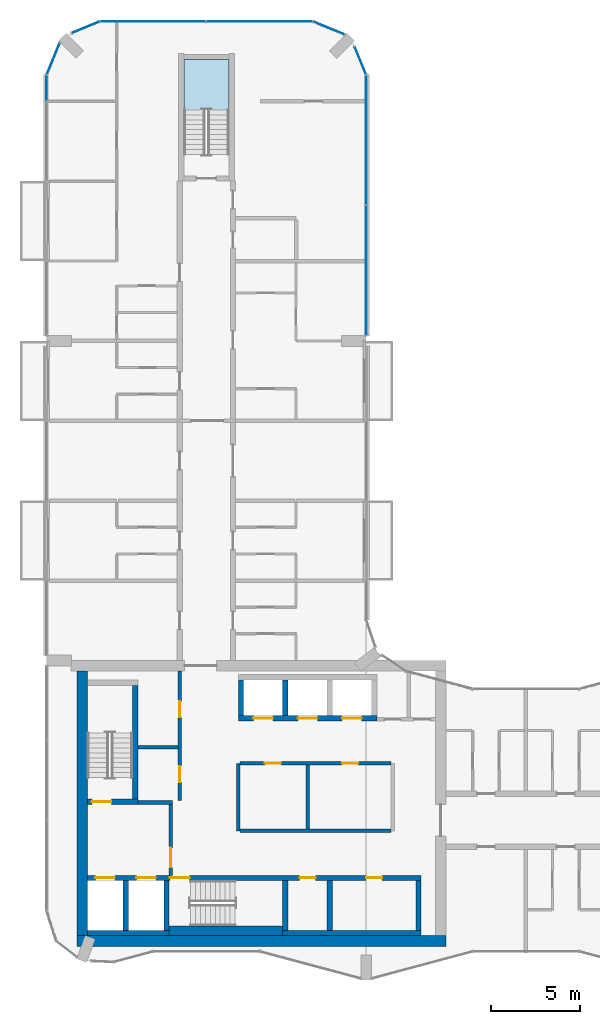
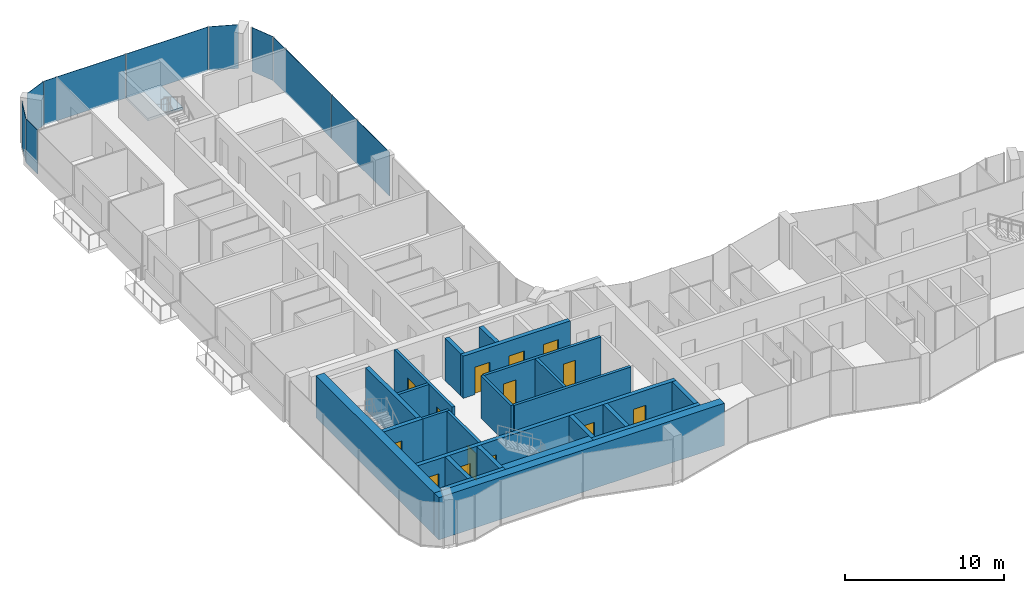
# One storey, part 9 of 16: 24 walls, 14 doors, 9 plates, 1 slab, 14 openings, 8 elements without a shape of their own.
"""IFC4 building model written with IfcOpenShell, lengths in metres."""

from ifc_helpers import new_model, si_unit, direction, frame, frame_2d, origin, origin_2d, place, context, subcontext, project, spatial, polyline, rectangle, outline, extrude, material, layer, layer_set, type_object, element, fill, aggregate, save


model = new_model("IFC4")

# Units and contexts
model_context = context("Model", 3, precision=1e-05, world=origin(), true_north=direction((0.0, 1.0)))
body_context = subcontext(model_context, "Body", "Model", "MODEL_VIEW")
ifc_project = project(units=[si_unit("LENGTHUNIT", "METRE"), si_unit("AREAUNIT", "SQUARE_METRE"), si_unit("VOLUMEUNIT", "CUBIC_METRE"), si_unit("PLANEANGLEUNIT", "RADIAN"), si_unit("MASSUNIT", "GRAM", prefix="KILO")], contexts=[model_context])

# Site, building, storey
site_placement = place(None, origin())
site = spatial("IfcSite", under=ifc_project, at=site_placement, CompositionType="ELEMENT")
building_placement = place(site_placement, origin())
building = spatial("IfcBuilding", under=site, at=building_placement, Name="Plateau Cross Towers", CompositionType="ELEMENT")
storey_placement = place(building_placement, frame((0.0, 0.0, 167.39990234375)))
storey = spatial("IfcBuildingStorey", under=building, at=storey_placement, Name="L43", CompositionType="ELEMENT", Elevation=167.39990234375)

# Curtain wall, plates
ifc_material_1 = material(Name="Dark low-iron glass", Category="glass")
ifc_layer_1 = layer(ifc_material_1, 0.239990234375)
ifc_layer_set_1 = layer_set([ifc_layer_1], Name="Dark low-iron glass")
curtain_wall_type = type_object("IfcCurtainWallType", Name="Curtain wall flush unitised CW-B", PredefinedType="NOTDEFINED", material=ifc_layer_set_1)
curtain_wall_1_placement = place(storey_placement, origin())
curtain_wall_1 = element("IfcCurtainWall", 1, at=curtain_wall_1_placement, inside=storey, type_object=curtain_wall_type, Name="ENV/A/L43/A180_363", PredefinedType="NOTDEFINED")
ifc_layer_2 = layer(ifc_material_1, 0.031982421875)
ifc_layer_set_2 = layer_set([ifc_layer_2], Name="Dark low-iron glass")
plate_type = type_object("IfcPlateType", Name="Glass panel 32 flush unitised", PredefinedType="CURTAIN_PANEL", material=ifc_layer_set_2)
plate_1_placement = place(storey_placement, frame((18.0, 39.97509765625, -0.1298828125), z_axis=(0.0, 0.0, 1.0), x_axis=(0.0, 1.0, 0.0)))
plate_1 = element("IfcPlate", 2, at=plate_1_placement, type_object=plate_type, Name="CW-B panel 1", PredefinedType="CURTAIN_PANEL", context=body_context, shape_type="SweptSolid", body=[
    extrude(rectangle(XDim=7.2900390625, YDim=0.031982421875, at=origin_2d()), origin(), (0.0, 0.0, 1.0), 3.3798828125),
])
plate_2_placement = place(storey_placement, frame((18.0, 47.324951171875, -0.1298828125), z_axis=(0.0, 0.0, 1.0), x_axis=(0.0, 1.0, 0.0)))
plate_2 = element("IfcPlate", 3, at=plate_2_placement, type_object=plate_type, Name="CW-B panel 2", PredefinedType="CURTAIN_PANEL", context=body_context, shape_type="SweptSolid", body=[
    extrude(rectangle(XDim=7.2900390625, YDim=0.031982421875, at=origin_2d()), origin(), (0.0, 0.0, 1.0), 3.3798828125),
])
aggregate(curtain_wall_1, [plate_1, plate_2])

# Curtain wall, plate
curtain_wall_2_placement = place(storey_placement, origin())
curtain_wall_2 = element("IfcCurtainWall", 4, at=curtain_wall_2_placement, inside=storey, type_object=curtain_wall_type, Name="ENV/A/L43/A180_510", PredefinedType="NOTDEFINED")
plate_3_placement = place(storey_placement, frame((17.66943359375, 51.79833984375, -0.1298828125), z_axis=(0.0, 0.0, 1.0), x_axis=(-0.382683612978, 0.923879457699, 0.0)))
plate_3 = element("IfcPlate", 5, at=plate_3_placement, type_object=plate_type, Name="CW-B panel 1", PredefinedType="CURTAIN_PANEL", context=body_context, shape_type="SweptSolid", body=[
    extrude(rectangle(XDim=1.668212890625, YDim=0.031982421875, at=origin_2d()), origin(), (0.0, 0.0, 1.0), 3.3798828125),
])
aggregate(curtain_wall_2, [plate_3])

curtain_wall_3_placement = place(storey_placement, origin())
curtain_wall_3 = element("IfcCurtainWall", 6, at=curtain_wall_3_placement, inside=storey, type_object=curtain_wall_type, Name="ENV/A/L43/A168_533", PredefinedType="NOTDEFINED")
plate_4_placement = place(storey_placement, frame((15.90283203125, 53.6259765625, -0.1298828125), z_axis=(0.0, 0.0, 1.0), x_axis=(-0.923879457699, 0.382683612978, 0.0)))
plate_4 = element("IfcPlate", 7, at=plate_4_placement, type_object=plate_type, Name="CW-B panel 1", PredefinedType="CURTAIN_PANEL", context=body_context, shape_type="SweptSolid", body=[
    extrude(rectangle(XDim=1.894775390625, YDim=0.031982421875, at=origin_2d()), origin(), (0.0, 0.0, 1.0), 3.3798828125),
])
aggregate(curtain_wall_3, [plate_4])

# Curtain wall, plates
curtain_wall_4_placement = place(storey_placement, origin())
curtain_wall_4 = element("IfcCurtainWall", 8, at=curtain_wall_4_placement, inside=storey, type_object=curtain_wall_type, Name="ENV/A/L43/A150_540", PredefinedType="NOTDEFINED")
plate_5_placement = place(storey_placement, frame((12.0, 54.0, -0.1298828125), z_axis=(0.0, 0.0, 1.0), x_axis=(-1.0, 0.0, 0.0)))
plate_5 = element("IfcPlate", 9, at=plate_5_placement, type_object=plate_type, Name="CW-B panel 1", PredefinedType="CURTAIN_PANEL", context=body_context, shape_type="SweptSolid", body=[
    extrude(rectangle(XDim=5.93994140625, YDim=0.031982421875, at=origin_2d()), origin(), (0.0, 0.0, 1.0), 3.3798828125),
])
plate_6_placement = place(storey_placement, frame((6.0, 54.0, -0.1298828125), z_axis=(0.0, 0.0, 1.0), x_axis=(-1.0, 0.0, 0.0)))
plate_6 = element("IfcPlate", 10, at=plate_6_placement, type_object=plate_type, Name="CW-B panel 2", PredefinedType="CURTAIN_PANEL", context=body_context, shape_type="SweptSolid", body=[
    extrude(rectangle(XDim=5.93994140625, YDim=0.031982421875, at=origin_2d()), origin(), (0.0, 0.0, 1.0), 3.3798828125),
])
aggregate(curtain_wall_4, [plate_5, plate_6])

# Curtain wall, plate
curtain_wall_5_placement = place(storey_placement, origin())
curtain_wall_5 = element("IfcCurtainWall", 11, at=curtain_wall_5_placement, inside=storey, type_object=curtain_wall_type, Name="ENV/A/L43/A30_540", PredefinedType="NOTDEFINED")
plate_7_placement = place(storey_placement, frame((2.20166015625, 53.66943359375, -0.1298828125), z_axis=(0.0, 0.0, 1.0), x_axis=(-0.923879457699, -0.382683612978, 0.0)))
plate_7 = element("IfcPlate", 12, at=plate_7_placement, type_object=plate_type, Name="CW-B panel 1", PredefinedType="CURTAIN_PANEL", context=body_context, shape_type="SweptSolid", body=[
    extrude(rectangle(XDim=1.668212890625, YDim=0.031982421875, at=origin_2d()), origin(), (0.0, 0.0, 1.0), 3.3798828125),
])
aggregate(curtain_wall_5, [plate_7])

curtain_wall_6_placement = place(storey_placement, origin())
curtain_wall_6 = element("IfcCurtainWall", 13, at=curtain_wall_6_placement, inside=storey, type_object=curtain_wall_type, Name="ENV/A/L43/A7_528", PredefinedType="NOTDEFINED")
plate_8_placement = place(storey_placement, frame((0.3740234375, 51.90283203125, -0.1298828125), z_axis=(0.0, 0.0, 1.0), x_axis=(-0.382683612978, -0.923879457699, 0.0)))
plate_8 = element("IfcPlate", 14, at=plate_8_placement, type_object=plate_type, Name="CW-B panel 1", PredefinedType="CURTAIN_PANEL", context=body_context, shape_type="SweptSolid", body=[
    extrude(rectangle(XDim=1.894775390625, YDim=0.031982421875, at=origin_2d()), origin(), (0.0, 0.0, 1.0), 3.3798828125),
])
aggregate(curtain_wall_6, [plate_8])

curtain_wall_7_placement = place(storey_placement, origin())
curtain_wall_7 = element("IfcCurtainWall", 15, at=curtain_wall_7_placement, inside=storey, type_object=curtain_wall_type, Name="ENV/A/L43/A0_510", PredefinedType="NOTDEFINED")
plate_9_placement = place(storey_placement, frame((0.0, 50.25, -0.1298828125), z_axis=(0.0, 0.0, 1.0), x_axis=(0.0, -1.0, 0.0)))
plate_9 = element("IfcPlate", 16, at=plate_9_placement, type_object=plate_type, Name="CW-B panel 1", PredefinedType="CURTAIN_PANEL", context=body_context, shape_type="SweptSolid", body=[
    extrude(rectangle(XDim=1.43994140625, YDim=0.031982421875, at=origin_2d()), origin(), (0.0, 0.0, 1.0), 3.3798828125),
])
aggregate(curtain_wall_7, [plate_9])

# Stair, slab
ifc_material_2 = material(Name="Concrete C40/50", Category="concrete")
stair_type = type_object("IfcStairType", Name="ST-TWR", PredefinedType="HALF_TURN_STAIR", material=ifc_material_2)
stair_placement = place(storey_placement, origin())
stair = element("IfcStair", 17, at=stair_placement, inside=storey, type_object=stair_type, Name="L43 Protected Exit Stair N", PredefinedType="HALF_TURN_STAIR")
ifc_layer_3 = layer(ifc_material_2, 0.199951171875)
ifc_layer_set_3 = layer_set([ifc_layer_3], Name="Concrete C40/50")
slab_type = type_object("IfcSlabType", Name="SL-LANDING", PredefinedType="LANDING", material=ifc_layer_set_3)
slab_placement = place(storey_placement, frame((0.0, 0.0, 1.550048828125)))
slab = element("IfcSlab", 18, at=slab_placement, type_object=slab_type, Name="ES-N landing 1", PredefinedType="LANDING", context=body_context, shape_type="SweptSolid", body=[
    extrude(outline(polyline([(10.27490234375, 49.02001953125), (10.27490234375, 51.85009765625), (7.72509765625, 51.85009765625), (7.72509765625, 49.02001953125), (10.27490234375, 49.02001953125)])), origin(), (0.0, 0.0, 1.0), 0.199951171875),
])
aggregate(stair, [slab])

# Wall, opening, door
ifc_material_3 = material(Name="Concrete block, plastered both sides", Category="concrete")
ifc_layer_4 = layer(ifc_material_3, 0.199951171875)
ifc_layer_set_4 = layer_set([ifc_layer_4], Name="Concrete block, plastered both sides")
wall_type_1 = type_object("IfcWallType", Name="Core partition 200", PredefinedType="PARTITIONING", material=ifc_layer_set_4)
wall_1_placement = place(storey_placement, frame((7.0, 5.89990234375, 0.0), z_axis=(0.0, 0.0, 1.0), x_axis=(0.0, 1.0, 0.0)))
wall_1 = element("IfcWall", 19, at=wall_1_placement, inside=storey, type_object=wall_type_1, Name="Core partition", PredefinedType="PARTITIONING", context=body_context, shape_type="SweptSolid", body=[
    extrude(rectangle(XDim=4.0, YDim=0.199951171875, at=frame_2d((2.0, 0.0))), origin(), (0.0, 0.0, 1.0), 3.25),
])
opening_1_placement = place(wall_1_placement, frame((0.449951171875, 0.0, 0.0)))
opening_1 = element("IfcOpeningElement", 20, at=opening_1_placement, cuts=wall_1, Name="Opening FFD", PredefinedType="OPENING", context=body_context, shape_type="SweptSolid", body=[
    extrude(rectangle(XDim=1.10009765625, YDim=2.10009765625, at=frame_2d((0.550048828125, 1.050048828125))), frame((0.0, 0.10986328125, 0.0), z_axis=(0.0, -1.0, 0.0), x_axis=(1.0, 0.0, 0.0)), (0.0, 0.0, 1.0), 0.219970703125),
])
ifc_material_4 = material(Name="Steel, fire-resisting leaf", Category="steel")
door_type_1 = type_object("IfcDoorType", Name="Firefighting lobby door 1100", OperationType="NOTDEFINED", PredefinedType="DOOR", material=ifc_material_4)
door_1_placement = place(opening_1_placement, origin())
door_1 = element("IfcDoor", 21, at=door_1_placement, inside=storey, type_object=door_type_1, Name="Firefighting lobby door FFD", OperationType="SINGLE_SWING_LEFT", OverallHeight=2.10009765625, OverallWidth=1.10009765625, PredefinedType="DOOR", context=body_context, shape_type="SweptSolid", body=[
    extrude(rectangle(XDim=1.10009765625, YDim=2.10009765625, at=frame_2d((0.550048828125, 1.050048828125))), frame((0.0, 0.02490234375, 0.0), z_axis=(0.0, -1.0, 0.0), x_axis=(1.0, 0.0, 0.0)), (0.0, 0.0, 1.0), 0.050048828125),
])
fill(opening_1, door_1)

# Walls
wall_2_placement = place(storey_placement, frame((5.14990234375, 10.0, 0.0), z_axis=(0.0, 0.0, 1.0), x_axis=(1.0, 0.0, 0.0)))
element("IfcWall", 22, at=wall_2_placement, inside=storey, type_object=wall_type_1, Name="Core partition", PredefinedType="PARTITIONING", context=body_context, shape_type="SweptSolid", body=[
    extrude(rectangle(XDim=1.9501953125, YDim=0.199951171875, at=frame_2d((0.97509765625, 0.0))), origin(), (0.0, 0.0, 1.0), 3.25),
])
wall_3_placement = place(storey_placement, frame((10.800048828125, 8.39990234375, 0.0), z_axis=(0.0, 0.0, 1.0), x_axis=(0.0, 1.0, 0.0)))
element("IfcWall", 23, at=wall_3_placement, inside=storey, type_object=wall_type_1, Name="Core partition", PredefinedType="PARTITIONING", context=body_context, shape_type="SweptSolid", body=[
    extrude(rectangle(XDim=3.800048828125, YDim=0.199951171875, at=frame_2d((1.89990234375, 0.0))), origin(), (0.0, 0.0, 1.0), 3.25),
])
wall_4_placement = place(storey_placement, frame((10.89990234375, 8.39990234375, 0.0), z_axis=(0.0, 0.0, 1.0), x_axis=(1.0, 0.0, 0.0)))
element("IfcWall", 24, at=wall_4_placement, inside=storey, type_object=wall_type_1, Name="Core partition", PredefinedType="PARTITIONING", context=body_context, shape_type="SweptSolid", body=[
    extrude(rectangle(XDim=8.5, YDim=0.199951171875, at=frame_2d((4.25, 0.0))), origin(), (0.0, 0.0, 1.0), 3.25),
])

# Wall, openings, doors
wall_5_placement = place(storey_placement, frame((10.89990234375, 12.199951171875, 0.0), z_axis=(0.0, 0.0, 1.0), x_axis=(1.0, 0.0, 0.0)))
wall_5 = element("IfcWall", 25, at=wall_5_placement, inside=storey, type_object=wall_type_1, Name="Core partition", PredefinedType="PARTITIONING", context=body_context, shape_type="SweptSolid", body=[
    extrude(rectangle(XDim=8.5, YDim=0.199951171875, at=frame_2d((4.25, 0.0))), origin(), (0.0, 0.0, 1.0), 3.25),
])
opening_2_placement = place(wall_5_placement, frame((1.39990234375, 0.0, 0.0)))
opening_2 = element("IfcOpeningElement", 26, at=opening_2_placement, cuts=wall_5, Name="Opening RD1", PredefinedType="OPENING", context=body_context, shape_type="SweptSolid", body=[
    extrude(rectangle(XDim=0.89990234375, YDim=2.10009765625, at=frame_2d((0.449951171875, 1.050048828125))), frame((0.0, 0.10986328125, 0.0), z_axis=(0.0, -1.0, 0.0), x_axis=(1.0, 0.0, 0.0)), (0.0, 0.0, 1.0), 0.219970703125),
])
opening_3_placement = place(wall_5_placement, frame((5.75, 0.0, 0.0)))
opening_3 = element("IfcOpeningElement", 27, at=opening_3_placement, cuts=wall_5, Name="Opening RD1", PredefinedType="OPENING", context=body_context, shape_type="SweptSolid", body=[
    extrude(rectangle(XDim=0.89990234375, YDim=2.10009765625, at=frame_2d((0.449951171875, 1.050048828125))), frame((0.0, 0.10986328125, 0.0), z_axis=(0.0, -1.0, 0.0), x_axis=(1.0, 0.0, 0.0)), (0.0, 0.0, 1.0), 0.219970703125),
])
ifc_material_5 = material(Name="Timber, fire-resisting leaf", Category="wood")
door_type_2 = type_object("IfcDoorType", Name="Core service door 900", OperationType="NOTDEFINED", PredefinedType="DOOR", material=ifc_material_5)
door_2_placement = place(opening_2_placement, origin())
door_2 = element("IfcDoor", 28, at=door_2_placement, inside=storey, type_object=door_type_2, Name="Core service door RD1", OperationType="SINGLE_SWING_LEFT", OverallHeight=2.10009765625, OverallWidth=0.89990234375, PredefinedType="DOOR", context=body_context, shape_type="SweptSolid", body=[
    extrude(rectangle(XDim=0.89990234375, YDim=2.10009765625, at=frame_2d((0.449951171875, 1.050048828125))), frame((0.0, 0.02490234375, 0.0), z_axis=(0.0, -1.0, 0.0), x_axis=(1.0, 0.0, 0.0)), (0.0, 0.0, 1.0), 0.050048828125),
])
fill(opening_2, door_2)
door_3_placement = place(opening_3_placement, origin())
door_3 = element("IfcDoor", 29, at=door_3_placement, inside=storey, type_object=door_type_2, Name="Core service door RD1", OperationType="SINGLE_SWING_LEFT", OverallHeight=2.10009765625, OverallWidth=0.89990234375, PredefinedType="DOOR", context=body_context, shape_type="SweptSolid", body=[
    extrude(rectangle(XDim=0.89990234375, YDim=2.10009765625, at=frame_2d((0.449951171875, 1.050048828125))), frame((0.0, 0.02490234375, 0.0), z_axis=(0.0, -1.0, 0.0), x_axis=(1.0, 0.0, 0.0)), (0.0, 0.0, 1.0), 0.050048828125),
])
fill(opening_3, door_3)

# Wall
wall_6_placement = place(storey_placement, frame((14.699951171875, 8.5, 0.0), z_axis=(0.0, 0.0, 1.0), x_axis=(0.0, 1.0, 0.0)))
element("IfcWall", 30, at=wall_6_placement, inside=storey, type_object=wall_type_1, Name="Core partition", PredefinedType="PARTITIONING", context=body_context, shape_type="SweptSolid", body=[
    extrude(rectangle(XDim=3.60009765625, YDim=0.199951171875, at=frame_2d((1.800048828125, 0.0))), origin(), (0.0, 0.0, 1.0), 3.25),
])

# Wall, openings, doors
wall_7_placement = place(storey_placement, frame((7.5, 10.10009765625, 0.0), z_axis=(0.0, 0.0, 1.0), x_axis=(0.0, 1.0, 0.0)))
wall_7 = element("IfcWall", 31, at=wall_7_placement, inside=storey, type_object=wall_type_1, Name="Core partition", PredefinedType="PARTITIONING", context=body_context, shape_type="SweptSolid", body=[
    extrude(rectangle(XDim=7.2998046875, YDim=0.199951171875, at=frame_2d((3.64990234375, 0.0))), origin(), (0.0, 0.0, 1.0), 3.25),
])
opening_4_placement = place(wall_7_placement, frame((1.050048828125, 0.0, 0.0)))
opening_4 = element("IfcOpeningElement", 32, at=opening_4_placement, cuts=wall_7, Name="Opening RD1", PredefinedType="OPENING", context=body_context, shape_type="SweptSolid", body=[
    extrude(rectangle(XDim=0.89990234375, YDim=2.10009765625, at=frame_2d((0.449951171875, 1.050048828125))), frame((0.0, 0.10986328125, 0.0), z_axis=(0.0, -1.0, 0.0), x_axis=(1.0, 0.0, 0.0)), (0.0, 0.0, 1.0), 0.219970703125),
])
opening_5_placement = place(wall_7_placement, frame((4.699951171875, 0.0, 0.0)))
opening_5 = element("IfcOpeningElement", 33, at=opening_5_placement, cuts=wall_7, Name="Opening RD1", PredefinedType="OPENING", context=body_context, shape_type="SweptSolid", body=[
    extrude(rectangle(XDim=0.89990234375, YDim=2.10009765625, at=frame_2d((0.449951171875, 1.050048828125))), frame((0.0, 0.10986328125, 0.0), z_axis=(0.0, -1.0, 0.0), x_axis=(1.0, 0.0, 0.0)), (0.0, 0.0, 1.0), 0.219970703125),
])
door_4_placement = place(opening_4_placement, origin())
door_4 = element("IfcDoor", 34, at=door_4_placement, inside=storey, type_object=door_type_2, Name="Core service door RD1", OperationType="SINGLE_SWING_RIGHT", OverallHeight=2.10009765625, OverallWidth=0.89990234375, PredefinedType="DOOR", context=body_context, shape_type="SweptSolid", body=[
    extrude(rectangle(XDim=0.89990234375, YDim=2.10009765625, at=frame_2d((0.449951171875, 1.050048828125))), frame((0.0, 0.02490234375, 0.0), z_axis=(0.0, -1.0, 0.0), x_axis=(1.0, 0.0, 0.0)), (0.0, 0.0, 1.0), 0.050048828125),
])
fill(opening_4, door_4)
door_5_placement = place(opening_5_placement, origin())
door_5 = element("IfcDoor", 35, at=door_5_placement, inside=storey, type_object=door_type_2, Name="Core service door RD1", OperationType="SINGLE_SWING_RIGHT", OverallHeight=2.10009765625, OverallWidth=0.89990234375, PredefinedType="DOOR", context=body_context, shape_type="SweptSolid", body=[
    extrude(rectangle(XDim=0.89990234375, YDim=2.10009765625, at=frame_2d((0.449951171875, 1.050048828125))), frame((0.0, 0.02490234375, 0.0), z_axis=(0.0, -1.0, 0.0), x_axis=(1.0, 0.0, 0.0)), (0.0, 0.0, 1.0), 0.050048828125),
])
fill(opening_5, door_5)

# Walls
wall_8_placement = place(storey_placement, frame((5.14990234375, 13.10009765625, 0.0), z_axis=(0.0, 0.0, 1.0), x_axis=(1.0, 0.0, 0.0)))
element("IfcWall", 36, at=wall_8_placement, inside=storey, type_object=wall_type_1, Name="Core partition", PredefinedType="PARTITIONING", context=body_context, shape_type="SweptSolid", body=[
    extrude(rectangle(XDim=2.25, YDim=0.199951171875, at=frame_2d((1.125, 0.0))), origin(), (0.0, 0.0, 1.0), 3.25),
])
ifc_material_6 = material(Name="Concrete C60/75", Category="concrete")
ifc_layer_5 = layer(ifc_material_6, 0.300048828125)
ifc_layer_set_5 = layer_set([ifc_layer_5], Name="Concrete C60/75")
wall_type_2 = type_object("IfcWallType", Name="Core shaft wall 300", PredefinedType="SHEAR", material=ifc_layer_set_5)
wall_9_placement = place(storey_placement, frame((2.300048828125, 2.64990234375, 0.0), z_axis=(0.0, 0.0, 1.0), x_axis=(1.0, 0.0, 0.0)))
element("IfcWall", 37, at=wall_9_placement, inside=storey, type_object=wall_type_2, Name="A-sb-back1@L43", PredefinedType="SHEAR", context=body_context, shape_type="SweptSolid", body=[
    extrude(rectangle(XDim=4.599853515625, YDim=0.300048828125, at=frame_2d((2.2998046875, 0.0))), origin(), (0.0, 0.0, 1.0), 3.25),
])
wall_10_placement = place(storey_placement, frame((13.300048828125, 2.64990234375, 0.0), z_axis=(0.0, 0.0, 1.0), x_axis=(1.0, 0.0, 0.0)))
element("IfcWall", 38, at=wall_10_placement, inside=storey, type_object=wall_type_2, Name="A-sb-back3@L43", PredefinedType="SHEAR", context=body_context, shape_type="SweptSolid", body=[
    extrude(rectangle(XDim=7.800048828125, YDim=0.300048828125, at=frame_2d((3.89990234375, 0.0))), origin(), (0.0, 0.0, 1.0), 3.25),
])
for number, where, z_axis, x_axis, name in (
    (39, (4.449951171875, 2.800048828125, 0.0), (0.0, 0.0, 1.0), (0.0, 1.0, 0.0), "A-sb-v1@L43"),
    (40, (6.75, 2.800048828125, 0.0), (0.0, 0.0, 1.0), (0.0, 1.0, 0.0), "A-sb-v2@L43"),
    (41, (13.449951171875, 2.800048828125, 0.0), (0.0, 0.0, 1.0), (0.0, 1.0, 0.0), "A-sb-v3@L43"),
    (42, (15.949951171875, 2.800048828125, 0.0), (0.0, 0.0, 1.0), (0.0, 1.0, 0.0), "A-sb-v4@L43"),
    (43, (20.949951171875, 2.800048828125, 0.0), (0.0, 0.0, 1.0), (0.0, 1.0, 0.0), "A-sb-v6@L43"),
):
    element("IfcWall", number, at=place(storey_placement, frame(where, z_axis=z_axis, x_axis=x_axis)), inside=storey, type_object=wall_type_2, Name=name, PredefinedType="SHEAR", context=body_context, shape_type="SweptSolid", body=[
        extrude(rectangle(XDim=2.800048828125, YDim=0.300048828125, at=frame_2d((1.39990234375, 0.0))), origin(), (0.0, 0.0, 1.0), 3.25),
    ])

# Wall, openings, doors
wall_11_placement = place(storey_placement, frame((2.300048828125, 5.75, 0.0), z_axis=(0.0, 0.0, 1.0), x_axis=(1.0, 0.0, 0.0)))
wall_11 = element("IfcWall", 44, at=wall_11_placement, inside=storey, type_object=wall_type_2, Name="A-sb-front@L43", PredefinedType="SHEAR", context=body_context, shape_type="SweptSolid", body=[
    extrude(rectangle(XDim=18.800048828125, YDim=0.300048828125, at=frame_2d((9.39990234375, 0.0))), origin(), (0.0, 0.0, 1.0), 3.25),
])
opening_6_placement = place(wall_11_placement, frame((4.64990234375, 0.0, 0.0)))
opening_6 = element("IfcOpeningElement", 45, at=opening_6_placement, cuts=wall_11, Name="Opening SD", PredefinedType="OPENING", context=body_context, shape_type="SweptSolid", body=[
    extrude(rectangle(XDim=1.10009765625, YDim=2.10009765625, at=frame_2d((0.550048828125, 1.050048828125))), frame((0.0, 0.159912109375, 0.0), z_axis=(0.0, -1.0, 0.0), x_axis=(1.0, 0.0, 0.0)), (0.0, 0.0, 1.0), 0.320068359375),
])
opening_7_placement = place(wall_11_placement, frame((0.449951171875, 0.0, 0.0)))
opening_7 = element("IfcOpeningElement", 46, at=opening_7_placement, cuts=wall_11, Name="Opening LD", PredefinedType="OPENING", context=body_context, shape_type="SweptSolid", body=[
    extrude(rectangle(XDim=1.10009765625, YDim=2.10009765625, at=frame_2d((0.550048828125, 1.050048828125))), frame((0.0, 0.159912109375, 0.0), z_axis=(0.0, -1.0, 0.0), x_axis=(1.0, 0.0, 0.0)), (0.0, 0.0, 1.0), 0.320068359375),
])
opening_8_placement = place(wall_11_placement, frame((2.75, 0.0, 0.0)))
opening_8 = element("IfcOpeningElement", 47, at=opening_8_placement, cuts=wall_11, Name="Opening LD", PredefinedType="OPENING", context=body_context, shape_type="SweptSolid", body=[
    extrude(rectangle(XDim=1.10009765625, YDim=2.10009765625, at=frame_2d((0.550048828125, 1.050048828125))), frame((0.0, 0.159912109375, 0.0), z_axis=(0.0, -1.0, 0.0), x_axis=(1.0, 0.0, 0.0)), (0.0, 0.0, 1.0), 0.320068359375),
])
opening_9_placement = place(wall_11_placement, frame((11.949951171875, 0.0, 0.0)))
opening_9 = element("IfcOpeningElement", 48, at=opening_9_placement, cuts=wall_11, Name="Opening RD2", PredefinedType="OPENING", context=body_context, shape_type="SweptSolid", body=[
    extrude(rectangle(XDim=0.89990234375, YDim=2.10009765625, at=frame_2d((0.449951171875, 1.050048828125))), frame((0.0, 0.159912109375, 0.0), z_axis=(0.0, -1.0, 0.0), x_axis=(1.0, 0.0, 0.0)), (0.0, 0.0, 1.0), 0.320068359375),
])
opening_10_placement = place(wall_11_placement, frame((15.699951171875, 0.0, 0.0)))
opening_10 = element("IfcOpeningElement", 49, at=opening_10_placement, cuts=wall_11, Name="Opening RD2", PredefinedType="OPENING", context=body_context, shape_type="SweptSolid", body=[
    extrude(rectangle(XDim=0.89990234375, YDim=2.10009765625, at=frame_2d((0.449951171875, 1.050048828125))), frame((0.0, 0.159912109375, 0.0), z_axis=(0.0, -1.0, 0.0), x_axis=(1.0, 0.0, 0.0)), (0.0, 0.0, 1.0), 0.320068359375),
])
door_type_3 = type_object("IfcDoorType", Name="Core riser door 900", OperationType="NOTDEFINED", PredefinedType="DOOR", material=ifc_material_4)
door_6_placement = place(opening_9_placement, origin())
door_6 = element("IfcDoor", 50, at=door_6_placement, inside=storey, type_object=door_type_3, Name="Core riser door RD2", OperationType="SINGLE_SWING_LEFT", OverallHeight=2.10009765625, OverallWidth=0.89990234375, PredefinedType="DOOR", context=body_context, shape_type="SweptSolid", body=[
    extrude(rectangle(XDim=0.89990234375, YDim=2.10009765625, at=frame_2d((0.449951171875, 1.050048828125))), frame((0.0, 0.02490234375, 0.0), z_axis=(0.0, -1.0, 0.0), x_axis=(1.0, 0.0, 0.0)), (0.0, 0.0, 1.0), 0.050048828125),
])
fill(opening_9, door_6)
door_7_placement = place(opening_10_placement, origin())
door_7 = element("IfcDoor", 51, at=door_7_placement, inside=storey, type_object=door_type_3, Name="Core riser door RD2", OperationType="SINGLE_SWING_LEFT", OverallHeight=2.10009765625, OverallWidth=0.89990234375, PredefinedType="DOOR", context=body_context, shape_type="SweptSolid", body=[
    extrude(rectangle(XDim=0.89990234375, YDim=2.10009765625, at=frame_2d((0.449951171875, 1.050048828125))), frame((0.0, 0.02490234375, 0.0), z_axis=(0.0, -1.0, 0.0), x_axis=(1.0, 0.0, 0.0)), (0.0, 0.0, 1.0), 0.050048828125),
])
fill(opening_10, door_7)
ifc_material_7 = material(Name="Stainless steel, fire-resisting sliding leaves", Category="steel")
door_type_4 = type_object("IfcDoorType", Name="Lift landing door 1100", OperationType="NOTDEFINED", PredefinedType="DOOR", material=ifc_material_7)
door_8_placement = place(opening_7_placement, origin())
door_8 = element("IfcDoor", 52, at=door_8_placement, inside=storey, type_object=door_type_4, Name="Lift landing door LD", OperationType="DOUBLE_DOOR_SLIDING", OverallHeight=2.10009765625, OverallWidth=1.10009765625, PredefinedType="DOOR", context=body_context, shape_type="SweptSolid", body=[
    extrude(rectangle(XDim=1.10009765625, YDim=2.10009765625, at=frame_2d((0.550048828125, 1.050048828125))), frame((0.0, 0.02490234375, 0.0), z_axis=(0.0, -1.0, 0.0), x_axis=(1.0, 0.0, 0.0)), (0.0, 0.0, 1.0), 0.050048828125),
])
fill(opening_7, door_8)
door_9_placement = place(opening_8_placement, origin())
door_9 = element("IfcDoor", 53, at=door_9_placement, inside=storey, type_object=door_type_4, Name="Lift landing door LD", OperationType="DOUBLE_DOOR_SLIDING", OverallHeight=2.10009765625, OverallWidth=1.10009765625, PredefinedType="DOOR", context=body_context, shape_type="SweptSolid", body=[
    extrude(rectangle(XDim=1.10009765625, YDim=2.10009765625, at=frame_2d((0.550048828125, 1.050048828125))), frame((0.0, 0.02490234375, 0.0), z_axis=(0.0, -1.0, 0.0), x_axis=(1.0, 0.0, 0.0)), (0.0, 0.0, 1.0), 0.050048828125),
])
fill(opening_8, door_9)
door_type_5 = type_object("IfcDoorType", Name="Stair door 1100", OperationType="NOTDEFINED", PredefinedType="DOOR", material=ifc_material_4)
door_10_placement = place(opening_6_placement, origin())
door_10 = element("IfcDoor", 54, at=door_10_placement, inside=storey, type_object=door_type_5, Name="Stair door SD", OperationType="SINGLE_SWING_LEFT", OverallHeight=2.10009765625, OverallWidth=1.10009765625, PredefinedType="DOOR", context=body_context, shape_type="SweptSolid", body=[
    extrude(rectangle(XDim=1.10009765625, YDim=2.10009765625, at=frame_2d((0.550048828125, 1.050048828125))), frame((0.0, 0.02490234375, 0.0), z_axis=(0.0, -1.0, 0.0), x_axis=(1.0, 0.0, 0.0)), (0.0, 0.0, 1.0), 0.050048828125),
])
fill(opening_6, door_10)

# Wall, opening, door
wall_12_placement = place(storey_placement, frame((2.300048828125, 10.050048828125, 0.0), z_axis=(0.0, 0.0, 1.0), x_axis=(1.0, 0.0, 0.0)))
wall_12 = element("IfcWall", 55, at=wall_12_placement, inside=storey, type_object=wall_type_2, Name="A-st1-S@L43", PredefinedType="SHEAR", context=body_context, shape_type="SweptSolid", body=[
    extrude(rectangle(XDim=2.849853515625, YDim=0.300048828125, at=frame_2d((1.4248046875, 0.0))), origin(), (0.0, 0.0, 1.0), 3.25),
])
opening_11_placement = place(wall_12_placement, frame((0.25, 0.0, 0.0)))
opening_11 = element("IfcOpeningElement", 56, at=opening_11_placement, cuts=wall_12, Name="Opening SD", PredefinedType="OPENING", context=body_context, shape_type="SweptSolid", body=[
    extrude(rectangle(XDim=1.10009765625, YDim=2.10009765625, at=frame_2d((0.550048828125, 1.050048828125))), frame((0.0, 0.159912109375, 0.0), z_axis=(0.0, -1.0, 0.0), x_axis=(1.0, 0.0, 0.0)), (0.0, 0.0, 1.0), 0.320068359375),
])
door_11_placement = place(opening_11_placement, origin())
door_11 = element("IfcDoor", 57, at=door_11_placement, inside=storey, type_object=door_type_5, Name="Stair door SD", OperationType="SINGLE_SWING_RIGHT", OverallHeight=2.10009765625, OverallWidth=1.10009765625, PredefinedType="DOOR", context=body_context, shape_type="SweptSolid", body=[
    extrude(rectangle(XDim=1.10009765625, YDim=2.10009765625, at=frame_2d((0.550048828125, 1.050048828125))), frame((0.0, 0.02490234375, 0.0), z_axis=(0.0, -1.0, 0.0), x_axis=(1.0, 0.0, 0.0)), (0.0, 0.0, 1.0), 0.050048828125),
])
fill(opening_11, door_11)

# Wall
wall_13_placement = place(storey_placement, frame((5.0, 10.199951171875, 0.0), z_axis=(0.0, 0.0, 1.0), x_axis=(0.0, 1.0, 0.0)))
element("IfcWall", 58, at=wall_13_placement, inside=storey, type_object=wall_type_2, Name="A-st1-E@L43", PredefinedType="SHEAR", context=body_context, shape_type="SweptSolid", body=[
    extrude(rectangle(XDim=6.400146484375, YDim=0.300048828125, at=frame_2d((3.2001953125, 0.0))), origin(), (0.0, 0.0, 1.0), 3.25),
])

# Wall, openings, doors
wall_14_placement = place(storey_placement, frame((10.800048828125, 14.75, 0.0), z_axis=(0.0, 0.0, 1.0), x_axis=(1.0, 0.0, 0.0)))
wall_14 = element("IfcWall", 59, at=wall_14_placement, inside=storey, type_object=wall_type_2, Name="A-nb-front@L43", PredefinedType="SHEAR", context=body_context, shape_type="SweptSolid", body=[
    extrude(rectangle(XDim=7.800048828125, YDim=0.300048828125, at=frame_2d((3.89990234375, 0.0))), origin(), (0.0, 0.0, 1.0), 3.25),
])
opening_12_placement = place(wall_14_placement, frame((0.85009765625, 0.0, 0.0)))
opening_12 = element("IfcOpeningElement", 60, at=opening_12_placement, cuts=wall_14, Name="Opening LD", PredefinedType="OPENING", context=body_context, shape_type="SweptSolid", body=[
    extrude(rectangle(XDim=1.10009765625, YDim=2.10009765625, at=frame_2d((0.550048828125, 1.050048828125))), frame((0.0, 0.159912109375, 0.0), z_axis=(0.0, -1.0, 0.0), x_axis=(1.0, 0.0, 0.0)), (0.0, 0.0, 1.0), 0.320068359375),
])
opening_13_placement = place(wall_14_placement, frame((3.35009765625, 0.0, 0.0)))
opening_13 = element("IfcOpeningElement", 61, at=opening_13_placement, cuts=wall_14, Name="Opening LD", PredefinedType="OPENING", context=body_context, shape_type="SweptSolid", body=[
    extrude(rectangle(XDim=1.10009765625, YDim=2.10009765625, at=frame_2d((0.550048828125, 1.050048828125))), frame((0.0, 0.159912109375, 0.0), z_axis=(0.0, -1.0, 0.0), x_axis=(1.0, 0.0, 0.0)), (0.0, 0.0, 1.0), 0.320068359375),
])
opening_14_placement = place(wall_14_placement, frame((5.85009765625, 0.0, 0.0)))
opening_14 = element("IfcOpeningElement", 62, at=opening_14_placement, cuts=wall_14, Name="Opening LD", PredefinedType="OPENING", context=body_context, shape_type="SweptSolid", body=[
    extrude(rectangle(XDim=1.10009765625, YDim=2.10009765625, at=frame_2d((0.550048828125, 1.050048828125))), frame((0.0, 0.159912109375, 0.0), z_axis=(0.0, -1.0, 0.0), x_axis=(1.0, 0.0, 0.0)), (0.0, 0.0, 1.0), 0.320068359375),
])
door_12_placement = place(opening_12_placement, origin())
door_12 = element("IfcDoor", 63, at=door_12_placement, inside=storey, type_object=door_type_4, Name="Lift landing door LD", OperationType="DOUBLE_DOOR_SLIDING", OverallHeight=2.10009765625, OverallWidth=1.10009765625, PredefinedType="DOOR", context=body_context, shape_type="SweptSolid", body=[
    extrude(rectangle(XDim=1.10009765625, YDim=2.10009765625, at=frame_2d((0.550048828125, 1.050048828125))), frame((0.0, 0.02490234375, 0.0), z_axis=(0.0, -1.0, 0.0), x_axis=(1.0, 0.0, 0.0)), (0.0, 0.0, 1.0), 0.050048828125),
])
fill(opening_12, door_12)
door_13_placement = place(opening_13_placement, origin())
door_13 = element("IfcDoor", 64, at=door_13_placement, inside=storey, type_object=door_type_4, Name="Lift landing door LD", OperationType="DOUBLE_DOOR_SLIDING", OverallHeight=2.10009765625, OverallWidth=1.10009765625, PredefinedType="DOOR", context=body_context, shape_type="SweptSolid", body=[
    extrude(rectangle(XDim=1.10009765625, YDim=2.10009765625, at=frame_2d((0.550048828125, 1.050048828125))), frame((0.0, 0.02490234375, 0.0), z_axis=(0.0, -1.0, 0.0), x_axis=(1.0, 0.0, 0.0)), (0.0, 0.0, 1.0), 0.050048828125),
])
fill(opening_13, door_13)
door_14_placement = place(opening_14_placement, origin())
door_14 = element("IfcDoor", 65, at=door_14_placement, inside=storey, type_object=door_type_4, Name="Lift landing door LD", OperationType="DOUBLE_DOOR_SLIDING", OverallHeight=2.10009765625, OverallWidth=1.10009765625, PredefinedType="DOOR", context=body_context, shape_type="SweptSolid", body=[
    extrude(rectangle(XDim=1.10009765625, YDim=2.10009765625, at=frame_2d((0.550048828125, 1.050048828125))), frame((0.0, 0.02490234375, 0.0), z_axis=(0.0, -1.0, 0.0), x_axis=(1.0, 0.0, 0.0)), (0.0, 0.0, 1.0), 0.050048828125),
])
fill(opening_14, door_14)

# Walls
for number, where, z_axis, x_axis, name in (
    (66, (10.949951171875, 14.89990234375, 0.0), (0.0, 0.0, 1.0), (0.0, 1.0, 0.0), "A-nb-v1@L43"),
    (67, (13.449951171875, 14.89990234375, 0.0), (0.0, 0.0, 1.0), (0.0, 1.0, 0.0), "A-nb-v2@L43"),
):
    element("IfcWall", number, at=place(storey_placement, frame(where, z_axis=z_axis, x_axis=x_axis)), inside=storey, type_object=wall_type_2, Name=name, PredefinedType="SHEAR", context=body_context, shape_type="SweptSolid", body=[
        extrude(rectangle(XDim=2.0, YDim=0.300048828125, at=frame_2d((1.0, 0.0))), origin(), (0.0, 0.0, 1.0), 3.25),
    ])
ifc_layer_6 = layer(ifc_material_6, 0.550048828125)
ifc_layer_set_6 = layer_set([ifc_layer_6], Name="Concrete C60/75")
wall_type_3 = type_object("IfcWallType", Name="Core shaft wall 550", PredefinedType="SHEAR", material=ifc_layer_set_6)
wall_15_placement = place(storey_placement, frame((6.89990234375, 2.77490234375, 0.0), z_axis=(0.0, 0.0, 1.0), x_axis=(1.0, 0.0, 0.0)))
element("IfcWall", 68, at=wall_15_placement, inside=storey, type_object=wall_type_3, Name="A-sb-back2@L43", PredefinedType="SHEAR", context=body_context, shape_type="SweptSolid", body=[
    extrude(rectangle(XDim=6.400146484375, YDim=0.550048828125, at=frame_2d((3.2001953125, 0.0))), origin(), (0.0, 0.0, 1.0), 3.25),
])
ifc_layer_7 = layer(ifc_material_6, 0.60009765625)
ifc_layer_set_7 = layer_set([ifc_layer_7], Name="Concrete C60/75")
wall_type_4 = type_object("IfcWallType", Name="Core shell wall 600", PredefinedType="SHEAR", material=ifc_layer_set_7)
wall_16_placement = place(storey_placement, frame((1.699951171875, 2.199951171875, 0.0), z_axis=(0.0, 0.0, 1.0), x_axis=(1.0, 0.0, 0.0)))
element("IfcWall", 69, at=wall_16_placement, inside=storey, type_object=wall_type_4, Name="A-core-S@L43", PredefinedType="SHEAR", context=body_context, shape_type="SweptSolid", body=[
    extrude(rectangle(XDim=20.800048828125, YDim=0.60009765625, at=frame_2d((10.39990234375, 0.0))), origin(), (0.0, 0.0, 1.0), 3.25),
])
wall_17_placement = place(storey_placement, frame((2.0, 2.5, 0.0), z_axis=(0.0, 0.0, 1.0), x_axis=(0.0, 1.0, 0.0)))
element("IfcWall", 70, at=wall_17_placement, inside=storey, type_object=wall_type_4, Name="A-core-W@L43", PredefinedType="SHEAR", context=body_context, shape_type="SweptSolid", body=[
    extrude(rectangle(XDim=14.89990234375, YDim=0.60009765625, at=frame_2d((7.449951171875, 0.0))), origin(), (0.0, 0.0, 1.0), 3.25),
])

save(model, "model.ifc")
